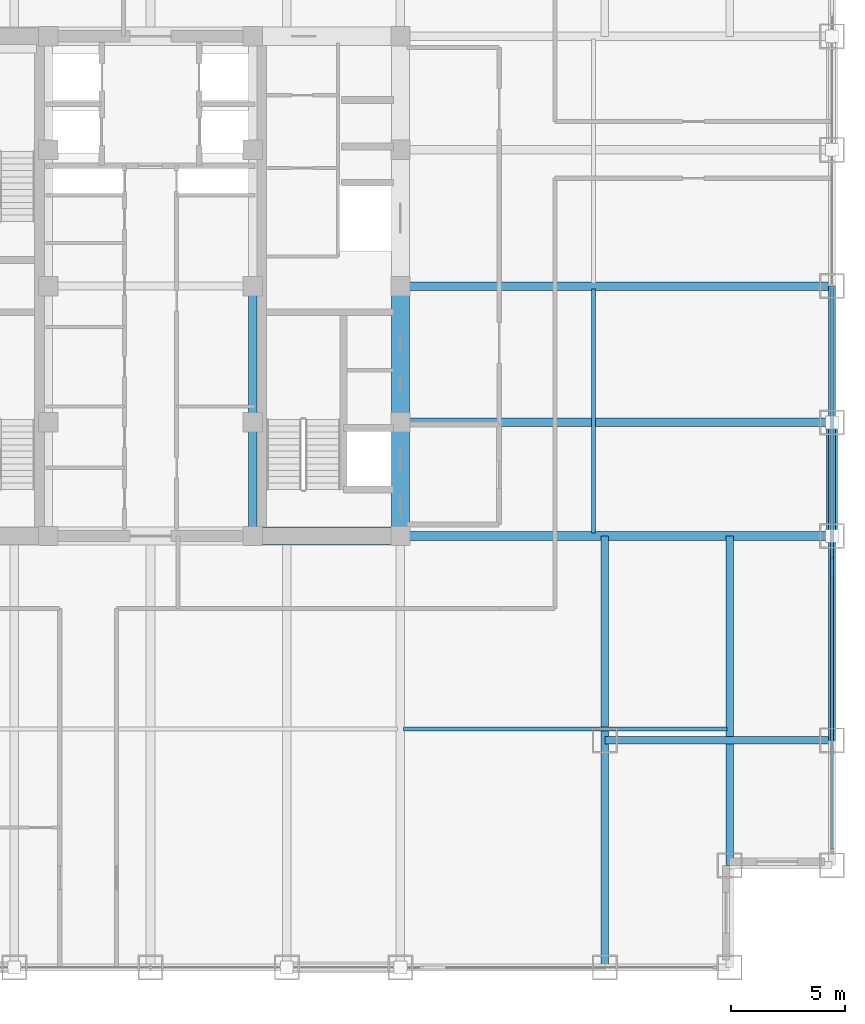
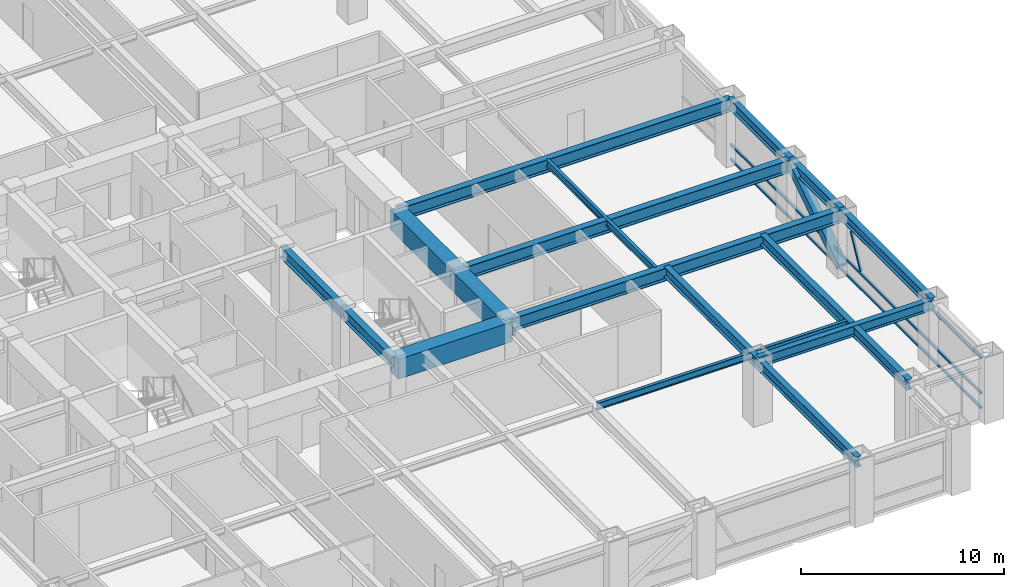
# One storey, part 9 of 24: 16 beams, 5 members, 1 element without a shape of its own.
"""IFC4 building model written with IfcOpenShell, lengths in metres."""

from ifc_helpers import new_model, si_unit, direction, frame, origin, origin_2d, place, context, subcontext, project, spatial, rectangle, hollow_rectangle, i_section, extrude, source, transform, mapped, material, material_profile, profile_set, type_object, element, aggregate, save


model = new_model("IFC4")

# Units and contexts
model_context = context("Model", 3, precision=1e-05, world=origin(), true_north=direction((0.0, 1.0)))
body_context = subcontext(model_context, "Body", "Model", "MODEL_VIEW")
ifc_project = project(units=[si_unit("LENGTHUNIT", "METRE"), si_unit("AREAUNIT", "SQUARE_METRE"), si_unit("VOLUMEUNIT", "CUBIC_METRE"), si_unit("PLANEANGLEUNIT", "RADIAN"), si_unit("MASSUNIT", "GRAM", prefix="KILO")], contexts=[model_context])

# Site, building, storey
site_placement = place(None, origin())
site = spatial("IfcSite", under=ifc_project, at=site_placement, CompositionType="ELEMENT")
building_placement = place(site_placement, origin())
building = spatial("IfcBuilding", under=site, at=building_placement, Name="Khorayat Bourse Tower", CompositionType="ELEMENT")
storey_placement = place(building_placement, frame((0.0, 0.0, 175.10009765625)))
storey = spatial("IfcBuildingStorey", under=building, at=storey_placement, Name="L40", CompositionType="ELEMENT", Elevation=175.10009765625)

# Beams
ifc_material_1 = material(Name="Concrete C72/90", Category="concrete")
ifc_material_profile_1 = material_profile(ifc_material_1, rectangle(XDim=0.800048828125, YDim=1.199951171875, at=origin_2d()), Name="RC 800x1200")
ifc_profile_set_1 = profile_set([ifc_material_profile_1], Name="Concrete C72/90")
beam_type_1 = type_object("IfcBeamType", Name="BM-COUP-1200", PredefinedType="BEAM", material=ifc_profile_set_1)
shared_shape_1 = source(origin(), body_context, "Body", "SweptSolid", [
    extrude(rectangle(XDim=0.800048828125, YDim=1.199951171875, at=origin_2d()), origin(), (0.0, 0.0, 1.0), 5.0),
])
beam_1_placement = place(storey_placement, frame((11.0, -11.0, 3.179931640625), z_axis=(0.0, 1.0, 0.0), x_axis=(-1.0, 0.0, 0.0)))
element("IfcBeam", 1, at=beam_1_placement, inside=storey, type_object=beam_type_1, Name="L40 BM-COUP-1200 BM-L40-CRX-13", PredefinedType="BEAM", context=body_context, shape_type="MappedRepresentation", body=[
    mapped(shared_shape_1, transform((0.0, 0.0, 0.0), scale=1.0)),
])
shared_shape_2 = source(origin(), body_context, "Body", "SweptSolid", [
    extrude(rectangle(XDim=0.800048828125, YDim=1.199951171875, at=origin_2d()), origin(), (0.0, 0.0, 1.0), 6.0),
])
beam_2_placement = place(storey_placement, frame((11.0, -6.0, 3.179931640625), z_axis=(0.0, 1.0, 0.0), x_axis=(-1.0, 0.0, 0.0)))
element("IfcBeam", 2, at=beam_2_placement, inside=storey, type_object=beam_type_1, Name="L40 BM-COUP-1200 BM-L40-CRX-14", PredefinedType="BEAM", context=body_context, shape_type="MappedRepresentation", body=[
    mapped(shared_shape_2, transform((0.0, 0.0, 0.0), scale=1.0)),
])
ifc_material_2 = material(Name="Steel ASTM A992 Grade 50", Category="steel")
ifc_material_profile_2 = material_profile(ifc_material_2, i_section(OverallWidth=0.35498046875, OverallDepth=0.695068359375, WebThickness=0.015380859375, FlangeThickness=0.02490234375, FilletRadius=0.01806640625, at=origin_2d()), Name="W690X217")
ifc_profile_set_2 = profile_set([ifc_material_profile_2], Name="Steel ASTM A992 Grade 50")
beam_type_2 = type_object("IfcBeamType", Name="BM-GIRD-690", PredefinedType="BEAM", material=ifc_profile_set_2)
shared_shape_3 = source(origin(), body_context, "Body", "SweptSolid", [
    extrude(i_section(OverallWidth=0.35498046875, OverallDepth=0.695068359375, WebThickness=0.015380859375, FlangeThickness=0.02490234375, FilletRadius=0.01806640625, at=origin_2d()), origin(), (0.0, 0.0, 1.0), 5.0),
])
beam_3_placement = place(storey_placement, frame((4.5, -11.0, 3.432373046875), z_axis=(0.0, 1.0, 0.0), x_axis=(-1.0, 0.0, 0.0)))
element("IfcBeam", 3, at=beam_3_placement, inside=storey, type_object=beam_type_2, Name="L40 BM-GIRD-690 BM-L40-CRX-09", PredefinedType="BEAM", context=body_context, shape_type="MappedRepresentation", body=[
    mapped(shared_shape_3, transform((0.0, 0.0, 0.0), scale=1.0)),
])
shared_shape_4 = source(origin(), body_context, "Body", "SweptSolid", [
    extrude(i_section(OverallWidth=0.35498046875, OverallDepth=0.695068359375, WebThickness=0.015380859375, FlangeThickness=0.02490234375, FilletRadius=0.01806640625, at=origin_2d()), origin(), (0.0, 0.0, 1.0), 6.0),
])
beam_4_placement = place(storey_placement, frame((4.5, -6.0, 3.432373046875), z_axis=(0.0, 1.0, 0.0), x_axis=(-1.0, 0.0, 0.0)))
element("IfcBeam", 4, at=beam_4_placement, inside=storey, type_object=beam_type_2, Name="L40 BM-GIRD-690 BM-L40-CRX-10", PredefinedType="BEAM", context=body_context, shape_type="MappedRepresentation", body=[
    mapped(shared_shape_4, transform((0.0, 0.0, 0.0), scale=1.0)),
])
shared_shape_5 = source(origin(), body_context, "Body", "SweptSolid", [
    extrude(rectangle(XDim=0.800048828125, YDim=1.199951171875, at=origin_2d()), origin(), (0.0, 0.0, 1.0), 6.5),
])
beam_5_placement = place(storey_placement, frame((4.5, -11.0, 3.179931640625), z_axis=(1.0, 0.0, 0.0), x_axis=(0.0, 1.0, 0.0)))
element("IfcBeam", 5, at=beam_5_placement, inside=storey, type_object=beam_type_1, Name="L40 BM-COUP-1200 BM-L40-CRY-19", PredefinedType="BEAM", context=body_context, shape_type="MappedRepresentation", body=[
    mapped(shared_shape_5, transform((0.0, 0.0, 0.0), scale=1.0)),
])
ifc_material_profile_3 = material_profile(ifc_material_2, i_section(OverallWidth=0.381103515625, OverallDepth=0.77294921875, WebThickness=0.0166015625, FlangeThickness=0.027587890625, FilletRadius=0.01806640625, at=origin_2d()), Name="W760X257")
ifc_profile_set_3 = profile_set([ifc_material_profile_3], Name="Steel ASTM A992 Grade 50")
beam_type_3 = type_object("IfcBeamType", Name="BM-GIRD-760", PredefinedType="BEAM", material=ifc_profile_set_3)
shared_shape_6 = source(origin(), body_context, "Body", "SweptSolid", [
    extrude(i_section(OverallWidth=0.381103515625, OverallDepth=0.77294921875, WebThickness=0.0166015625, FlangeThickness=0.027587890625, FilletRadius=0.01806640625, at=origin_2d()), origin(), (0.0, 0.0, 1.0), 19.0),
])
for number, where, z_axis, x_axis, name in (
    (6, (11.0, -11.0, 3.393310546875), (1.0, 0.0, 0.0), (0.0, 1.0, 0.0), "L40 BM-GIRD-760 BM-L40-RADX-074"),
    (7, (11.0, -6.0, 3.393310546875), (1.0, 0.0, 0.0), (0.0, 1.0, 0.0), "L40 BM-GIRD-760 BM-L40-RADX-076"),
    (8, (11.0, 0.0, 3.393310546875), (1.0, 0.0, 0.0), (0.0, 1.0, 0.0), "L40 BM-GIRD-760 BM-L40-RADX-078"),
):
    element("IfcBeam", number, at=place(storey_placement, frame(where, z_axis=z_axis, x_axis=x_axis)), inside=storey, type_object=beam_type_3, Name=name, PredefinedType="BEAM", context=body_context, shape_type="MappedRepresentation", body=[
        mapped(shared_shape_6, transform((0.0, 0.0, 0.0), scale=1.0)),
    ])
ifc_material_profile_4 = material_profile(ifc_material_2, i_section(OverallWidth=0.324951171875, OverallDepth=0.615966796875, WebThickness=0.013916015625, FlangeThickness=0.021484375, FilletRadius=0.01611328125, at=origin_2d()), Name="W610X174")
ifc_profile_set_4 = profile_set([ifc_material_profile_4], Name="Steel ASTM A992 Grade 50")
beam_type_4 = type_object("IfcBeamType", Name="BM-GIRD-610", PredefinedType="BEAM", material=ifc_profile_set_4)
shared_shape_7 = source(origin(), body_context, "Body", "SweptSolid", [
    extrude(i_section(OverallWidth=0.324951171875, OverallDepth=0.615966796875, WebThickness=0.013916015625, FlangeThickness=0.021484375, FilletRadius=0.01611328125, at=origin_2d()), origin(), (0.0, 0.0, 1.0), 19.0),
])
beam_6_placement = place(storey_placement, frame((20.0, -30.0, 3.471923828125), z_axis=(0.0, 1.0, 0.0), x_axis=(-1.0, 0.0, 0.0)))
element("IfcBeam", 9, at=beam_6_placement, inside=storey, type_object=beam_type_4, Name="L40 BM-GIRD-610 BM-L40-CNRY-086", PredefinedType="BEAM", context=body_context, shape_type="MappedRepresentation", body=[
    mapped(shared_shape_7, transform((0.0, 0.0, 0.0), scale=1.0)),
])
shared_shape_8 = source(origin(), body_context, "Body", "SweptSolid", [
    extrude(i_section(OverallWidth=0.324951171875, OverallDepth=0.615966796875, WebThickness=0.013916015625, FlangeThickness=0.021484375, FilletRadius=0.01611328125, at=origin_2d()), origin(), (0.0, 0.0, 1.0), 14.5),
])
beam_7_placement = place(storey_placement, frame((25.5, -25.5, 3.471923828125), z_axis=(0.0, 1.0, 0.0), x_axis=(-1.0, 0.0, 0.0)))
element("IfcBeam", 10, at=beam_7_placement, inside=storey, type_object=beam_type_4, Name="L40 BM-GIRD-610 BM-L40-CNRY-090", PredefinedType="BEAM", context=body_context, shape_type="MappedRepresentation", body=[
    mapped(shared_shape_8, transform((0.0, 0.0, 0.0), scale=1.0)),
])
shared_shape_9 = source(origin(), body_context, "Body", "SweptSolid", [
    extrude(i_section(OverallWidth=0.324951171875, OverallDepth=0.615966796875, WebThickness=0.013916015625, FlangeThickness=0.021484375, FilletRadius=0.01611328125, at=origin_2d()), origin(), (0.0, 0.0, 1.0), 10.0),
])
beam_8_placement = place(storey_placement, frame((20.0, -20.0, 3.471923828125), z_axis=(1.0, 0.0, 0.0), x_axis=(0.0, 1.0, 0.0)))
element("IfcBeam", 11, at=beam_8_placement, inside=storey, type_object=beam_type_4, Name="L40 BM-GIRD-610 BM-L40-CNRX-092", PredefinedType="BEAM", context=body_context, shape_type="MappedRepresentation", body=[
    mapped(shared_shape_9, transform((0.0, 0.0, 0.0), scale=1.0)),
])
ifc_material_profile_5 = material_profile(ifc_material_2, i_section(OverallWidth=0.180908203125, OverallDepth=0.4169921875, WebThickness=0.010986328125, FlangeThickness=0.018310546875, FilletRadius=0.011962890625, at=origin_2d()), Name="W410X85")
ifc_profile_set_5 = profile_set([ifc_material_profile_5], Name="Steel ASTM A992 Grade 50")
beam_type_5 = type_object("IfcBeamType", Name="BM-JOIST-410", PredefinedType="JOIST", material=ifc_profile_set_5)
shared_shape_10 = source(origin(), body_context, "Body", "SweptSolid", [
    extrude(i_section(OverallWidth=0.180908203125, OverallDepth=0.4169921875, WebThickness=0.010986328125, FlangeThickness=0.018310546875, FilletRadius=0.011962890625, at=origin_2d()), origin(), (0.0, 0.0, 1.0), 14.240234375),
])
beam_9_placement = place(storey_placement, frame((11.1298828125, -19.5, 3.5712890625), z_axis=(1.0, 0.0, 0.0), x_axis=(0.0, 1.0, 0.0)))
element("IfcBeam", 12, at=beam_9_placement, inside=storey, type_object=beam_type_5, Name="L40 BM-JOIST-410 BM-L40-JSTX-098", PredefinedType="JOIST", context=body_context, shape_type="MappedRepresentation", body=[
    mapped(shared_shape_10, transform((0.0, 0.0, 0.0), scale=1.0)),
])
shared_shape_11 = source(origin(), body_context, "Body", "SweptSolid", [
    extrude(i_section(OverallWidth=0.180908203125, OverallDepth=0.4169921875, WebThickness=0.010986328125, FlangeThickness=0.018310546875, FilletRadius=0.011962890625, at=origin_2d()), origin(), (0.0, 0.0, 1.0), 10.740234375),
])
beam_10_placement = place(storey_placement, frame((19.5, -10.8701171875, 3.5712890625), z_axis=(0.0, 1.0, 0.0), x_axis=(-1.0, 0.0, 0.0)))
element("IfcBeam", 13, at=beam_10_placement, inside=storey, type_object=beam_type_5, Name="L40 BM-JOIST-410 BM-L40-JSTY-104", PredefinedType="JOIST", context=body_context, shape_type="MappedRepresentation", body=[
    mapped(shared_shape_11, transform((0.0, 0.0, 0.0), scale=1.0)),
])
ifc_material_profile_6 = material_profile(ifc_material_2, i_section(OverallWidth=0.324951171875, OverallDepth=0.615966796875, WebThickness=0.013916015625, FlangeThickness=0.021484375, FilletRadius=0.01611328125, at=origin_2d()), Name="W610X174")
ifc_profile_set_6 = profile_set([ifc_material_profile_6], Name="Steel ASTM A992 Grade 50")
beam_type_6 = type_object("IfcBeamType", Name="BM-SPAN-610", PredefinedType="SPANDREL", material=ifc_profile_set_6)
shared_shape_12 = source(origin(), body_context, "Body", "SweptSolid", [
    extrude(i_section(OverallWidth=0.324951171875, OverallDepth=0.615966796875, WebThickness=0.013916015625, FlangeThickness=0.021484375, FilletRadius=0.01611328125, at=origin_2d()), origin(), (0.0, 0.0, 1.0), 9.0),
])
beam_11_placement = place(storey_placement, frame((30.0, -20.0, 3.471923828125), z_axis=(0.0, 1.0, 0.0), x_axis=(-1.0, 0.0, 0.0)))
element("IfcBeam", 14, at=beam_11_placement, inside=storey, type_object=beam_type_6, Name="L40 BM-SPAN-610 BM-L40-SPN-035", PredefinedType="SPANDREL", context=body_context, shape_type="MappedRepresentation", body=[
    mapped(shared_shape_12, transform((0.0, 0.0, 0.0), scale=1.0)),
])
shared_shape_13 = source(origin(), body_context, "Body", "SweptSolid", [
    extrude(i_section(OverallWidth=0.324951171875, OverallDepth=0.615966796875, WebThickness=0.013916015625, FlangeThickness=0.021484375, FilletRadius=0.01611328125, at=origin_2d()), origin(), (0.0, 0.0, 1.0), 5.0),
])
beam_12_placement = place(storey_placement, frame((30.0, -11.0, 3.471923828125), z_axis=(0.0, 1.0, 0.0), x_axis=(-1.0, 0.0, 0.0)))
element("IfcBeam", 15, at=beam_12_placement, inside=storey, type_object=beam_type_6, Name="L40 BM-SPAN-610 BM-L40-SPN-036", PredefinedType="SPANDREL", context=body_context, shape_type="MappedRepresentation", body=[
    mapped(shared_shape_13, transform((0.0, 0.0, 0.0), scale=1.0)),
])
shared_shape_14 = source(origin(), body_context, "Body", "SweptSolid", [
    extrude(i_section(OverallWidth=0.324951171875, OverallDepth=0.615966796875, WebThickness=0.013916015625, FlangeThickness=0.021484375, FilletRadius=0.01611328125, at=origin_2d()), origin(), (0.0, 0.0, 1.0), 6.0),
])
beam_13_placement = place(storey_placement, frame((30.0, -6.0, 3.471923828125), z_axis=(0.0, 1.0, 0.0), x_axis=(-1.0, 0.0, 0.0)))
element("IfcBeam", 16, at=beam_13_placement, inside=storey, type_object=beam_type_6, Name="L40 BM-SPAN-610 BM-L40-SPN-037", PredefinedType="SPANDREL", context=body_context, shape_type="MappedRepresentation", body=[
    mapped(shared_shape_14, transform((0.0, 0.0, 0.0), scale=1.0)),
])

# Member
ifc_material_3 = material(Name="Steel EN 10025-4 S460M", Category="steel")
ifc_material_profile_7 = material_profile(ifc_material_3, hollow_rectangle(XDim=0.5, YDim=0.5, WallThickness=0.028076171875, at=origin_2d()), Name="HSS 500x500x28")
ifc_profile_set_7 = profile_set([ifc_material_profile_7], Name="Steel EN 10025-4 S460M")
member_type_1 = type_object("IfcMemberType", Name="MBR-TUBE-500", PredefinedType="BRACE", material=ifc_profile_set_7)
shared_shape_15 = source(origin(), body_context, "Body", "SweptSolid", [
    extrude(hollow_rectangle(XDim=0.5, YDim=0.5, WallThickness=0.028076171875, at=origin_2d()), origin(), (0.0, 0.0, 1.0), 5.979736328125),
])
member_1_placement = place(storey_placement, frame((30.0, -11.0, 0.25), z_axis=(0.0, 0.836160261256, 0.548485202623), x_axis=(-1.0, 0.0, 0.0)))
element("IfcMember", 17, at=member_1_placement, inside=storey, type_object=member_type_1, Name="L40 Perimeter Tube Brace 07", PredefinedType="BRACE", context=body_context, shape_type="MappedRepresentation", body=[
    mapped(shared_shape_15, transform((0.0, 0.0, 0.0), scale=1.0)),
])

# Curtain wall, members
ifc_material_4 = material(Name="Aluminium EN AW-6063 T6", Category="aluminium")
curtain_wall_type = type_object("IfcCurtainWallType", Name="CW-SYS-03", PredefinedType="NOTDEFINED", material=ifc_material_4)
curtain_wall_placement = place(storey_placement, origin())
curtain_wall = element("IfcCurtainWall", 18, at=curtain_wall_placement, inside=storey, type_object=curtain_wall_type, Name="L40 Curtain Wall CW-L40-E1", PredefinedType="NOTDEFINED")
ifc_material_profile_8 = material_profile(ifc_material_4, hollow_rectangle(XDim=0.1201171875, YDim=0.1201171875, WallThickness=0.0048828125, at=origin_2d()), Name="ALU 120x120x5")
ifc_profile_set_8 = profile_set([ifc_material_profile_8], Name="Aluminium EN AW-6063 T6")
member_type_2 = type_object("IfcMemberType", Name="CWM-DIAG-120", PredefinedType="MULLION", material=ifc_profile_set_8)
shared_shape_16 = source(origin(), body_context, "Body", "SweptSolid", [
    extrude(hollow_rectangle(XDim=0.1201171875, YDim=0.1201171875, WallThickness=0.0048828125, at=origin_2d()), origin(), (0.0, 0.0, 1.0), 2.079345703125),
])
member_2_placement = place(storey_placement, frame((30.0, -12.904296875, 1.08984375), z_axis=(0.0, 0.465760949701, 0.884910581773), x_axis=(-1.0, 0.0, 0.0)))
member_2 = element("IfcMember", 19, at=member_2_placement, type_object=member_type_2, Name="CW-L40-E1 Faceted Diagonal Mullion 1", PredefinedType="MULLION", context=body_context, shape_type="MappedRepresentation", body=[
    mapped(shared_shape_16, transform((0.0, 0.0, 0.0), scale=1.0)),
])
ifc_material_profile_9 = material_profile(ifc_material_4, hollow_rectangle(XDim=0.1201171875, YDim=0.1201171875, WallThickness=0.0048828125, at=origin_2d()), Name="ALU 120x120x5")
ifc_profile_set_9 = profile_set([ifc_material_profile_9], Name="Aluminium EN AW-6063 T6")
member_type_3 = type_object("IfcMemberType", Name="CWT-HORZ-120", PredefinedType="USERDEFINED", material=ifc_profile_set_9)
shared_shape_17 = source(origin(), body_context, "Body", "SweptSolid", [
    extrude(hollow_rectangle(XDim=0.1201171875, YDim=0.1201171875, WallThickness=0.0048828125, at=origin_2d()), origin(), (0.0, 0.0, 1.0), 24.719970703125),
])
member_3_placement = place(storey_placement, frame((30.0, -24.780029296875, 0.059814453125), z_axis=(0.0, 1.0, 0.0), x_axis=(-1.0, 0.0, 0.0)))
member_3 = element("IfcMember", 20, at=member_3_placement, type_object=member_type_3, Name="CW-L40-E1 Horizontal Transom 1-1", ObjectType="TRANSOM", PredefinedType="USERDEFINED", context=body_context, shape_type="MappedRepresentation", body=[
    mapped(shared_shape_17, transform((0.0, 0.0, 0.0), scale=1.0)),
])
member_4_placement = place(storey_placement, frame((30.0, -24.780029296875, 0.949951171875), z_axis=(0.0, 1.0, 0.0), x_axis=(-1.0, 0.0, 0.0)))
member_4 = element("IfcMember", 21, at=member_4_placement, type_object=member_type_3, Name="CW-L40-E1 Horizontal Transom 1-2", ObjectType="TRANSOM", PredefinedType="USERDEFINED", context=body_context, shape_type="MappedRepresentation", body=[
    mapped(shared_shape_17, transform((0.0, 0.0, 0.0), scale=1.0)),
])
member_5_placement = place(storey_placement, frame((30.0, -24.780029296875, 3.06982421875), z_axis=(0.0, 1.0, 0.0), x_axis=(-1.0, 0.0, 0.0)))
member_5 = element("IfcMember", 22, at=member_5_placement, type_object=member_type_3, Name="CW-L40-E1 Horizontal Transom 1-3", ObjectType="TRANSOM", PredefinedType="USERDEFINED", context=body_context, shape_type="MappedRepresentation", body=[
    mapped(shared_shape_17, transform((0.0, 0.0, 0.0), scale=1.0)),
])
aggregate(curtain_wall, [member_3, member_4, member_5, member_2])

save(model, "model.ifc")
